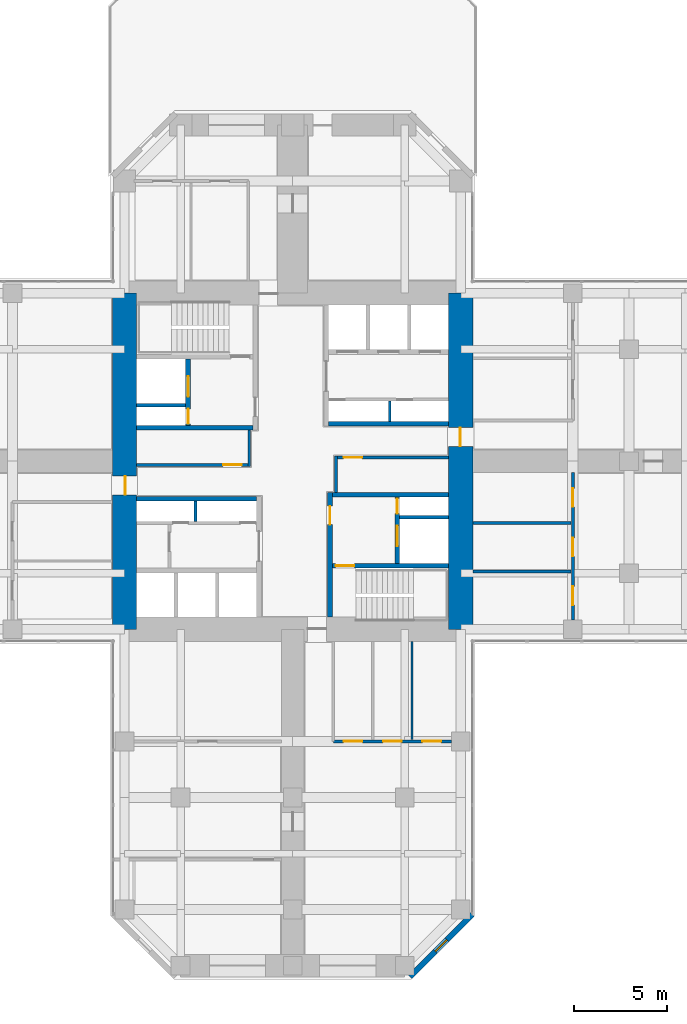
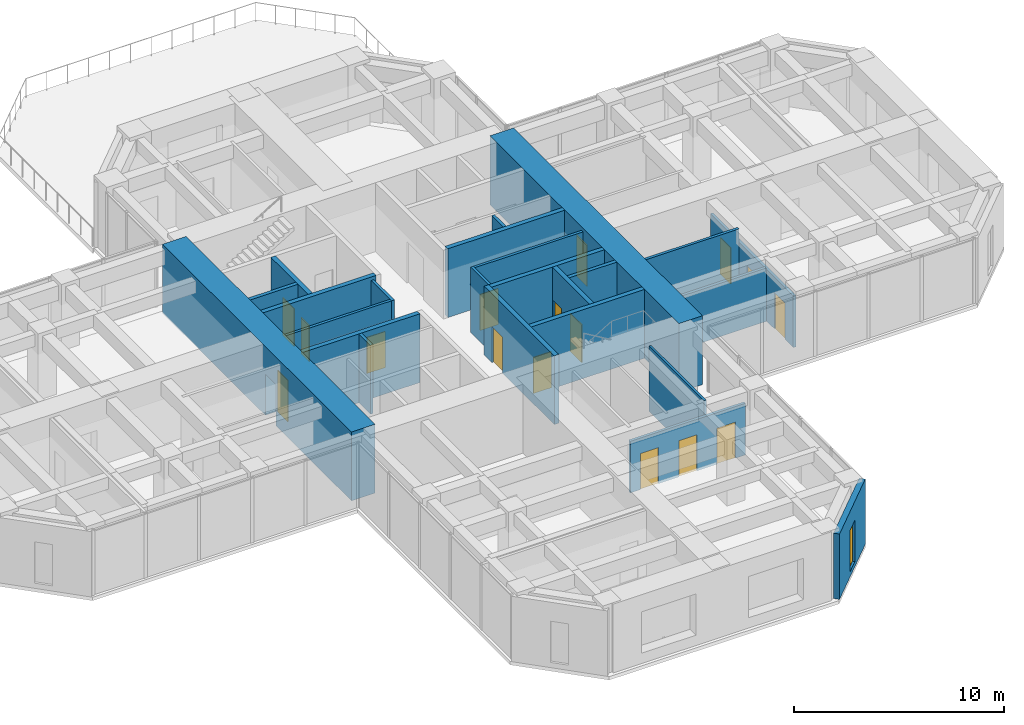
# One storey, part 9 of 12: 24 walls, 16 doors, 1 window, 17 openings.
"""IFC4 building model written with IfcOpenShell, lengths in metres."""

from ifc_helpers import new_model, si_unit, direction, frame, frame_2d, origin, place, context, subcontext, project, spatial, rectangle, hollow_rectangle, extrude, material, layer, layer_set, constituent, constituent_set, type_object, element, fill, save


model = new_model("IFC4")

# Units and contexts
model_context = context("Model", 3, precision=1e-05, world=origin(), true_north=direction((0.0, 1.0)))
body_context = subcontext(model_context, "Body", "Model", "MODEL_VIEW")
ifc_project = project(units=[si_unit("LENGTHUNIT", "METRE"), si_unit("AREAUNIT", "SQUARE_METRE"), si_unit("VOLUMEUNIT", "CUBIC_METRE"), si_unit("PLANEANGLEUNIT", "RADIAN"), si_unit("MASSUNIT", "GRAM", prefix="KILO")], contexts=[model_context])

# Site, building, storey
site_placement = place(None, origin())
site = spatial("IfcSite", under=ifc_project, at=site_placement, CompositionType="ELEMENT")
building_placement = place(site_placement, origin())
building = spatial("IfcBuilding", under=site, at=building_placement, Name="Torre Cruceta", CompositionType="ELEMENT")
storey_placement = place(building_placement, frame((0.0, 0.0, 100.5)))
storey = spatial("IfcBuildingStorey", under=building, at=storey_placement, Name="L24", CompositionType="ELEMENT", Elevation=100.5)

# Walls
ifc_material_1 = material(Name="Concrete G60 (fck 60 MPa)", Category="concrete")
ifc_layer_1 = layer(ifc_material_1, 0.25)
ifc_layer_set_1 = layer_set([ifc_layer_1], Name="Concrete G60 (fck 60 MPa)")
wall_type_1 = type_object("IfcWallType", Name="CORE INNER WALL 250 G60", PredefinedType="SHEAR", material=ifc_layer_set_1)
wall_1_placement = place(storey_placement, frame((1.925048828125, 2.0, 0.0), z_axis=(0.0, 0.0, 1.0), x_axis=(1.0, 0.0, 0.0)))
element("IfcWall", 1, at=wall_1_placement, inside=storey, type_object=wall_type_1, Name="CW4 L24 NE-CV", PredefinedType="SHEAR", context=body_context, shape_type="SweptSolid", body=[
    extrude(rectangle(XDim=6.425048828125, YDim=0.25, at=frame_2d((3.21240234375, 0.0))), origin(), (0.0, 0.0, 1.0), 4.0),
])
wall_2_placement = place(storey_placement, frame((-2.125, 1.800048828125, 0.0), z_axis=(0.0, 0.0, 1.0), x_axis=(-1.0, 0.0, 0.0)))
element("IfcWall", 2, at=wall_2_placement, inside=storey, type_object=wall_type_1, Name="CW4 L24 NW-CV", PredefinedType="SHEAR", context=body_context, shape_type="SweptSolid", body=[
    extrude(rectangle(XDim=6.22509765625, YDim=0.25, at=frame_2d((3.112548828125, 0.0))), origin(), (0.0, 0.0, 1.0), 4.0),
])

# Wall, openings, doors
wall_3_placement = place(storey_placement, frame((-5.60009765625, 1.925048828125, 0.0), z_axis=(0.0, 0.0, 1.0), x_axis=(0.0, 1.0, 0.0)))
wall_3 = element("IfcWall", 3, at=wall_3_placement, inside=storey, type_object=wall_type_1, Name="CW4 L24 NW-FU", PredefinedType="SHEAR", context=body_context, shape_type="SweptSolid", body=[
    extrude(rectangle(XDim=3.550048828125, YDim=0.25, at=frame_2d((1.77490234375, 0.0))), origin(), (0.0, 0.0, 1.0), 4.0),
])
opening_1_placement = place(wall_3_placement, frame((1.52490234375, 0.0, 0.0)))
opening_1 = element("IfcOpeningElement", 4, at=opening_1_placement, cuts=wall_3, Name="Opening LD1", PredefinedType="OPENING", context=body_context, shape_type="SweptSolid", body=[
    extrude(rectangle(XDim=1.10009765625, YDim=2.199951171875, at=frame_2d((0.550048828125, 1.10009765625))), frame((0.0, 0.135009765625, 0.0), z_axis=(0.0, -1.0, 0.0), x_axis=(1.0, 0.0, 0.0)), (0.0, 0.0, 1.0), 0.27001953125),
])
opening_2_placement = place(wall_3_placement, frame((0.074951171875, 0.0, 0.0)))
opening_2 = element("IfcOpeningElement", 5, at=opening_2_placement, cuts=wall_3, Name="Opening D5", PredefinedType="OPENING", context=body_context, shape_type="SweptSolid", body=[
    extrude(rectangle(XDim=0.800048828125, YDim=2.10009765625, at=frame_2d((0.39990234375, 1.050048828125))), frame((0.0, 0.135009765625, 0.0), z_axis=(0.0, -1.0, 0.0), x_axis=(1.0, 0.0, 0.0)), (0.0, 0.0, 1.0), 0.27001953125),
])
ifc_material_2 = material(Name="Stainless steel 1.4401", Category="steel")
door_type_1 = type_object("IfcDoorType", Name="LIFT LANDING DOOR 1100X2200", OperationType="DOUBLE_DOOR_SLIDING", PredefinedType="DOOR", material=ifc_material_2)
door_1_placement = place(opening_1_placement, origin())
door_1 = element("IfcDoor", 6, at=door_1_placement, inside=storey, type_object=door_type_1, Name="Lift landing door FL1", OperationType="DOUBLE_DOOR_SLIDING", OverallHeight=2.199951171875, OverallWidth=1.10009765625, PredefinedType="DOOR", context=body_context, shape_type="SweptSolid", body=[
    extrude(rectangle(XDim=1.10009765625, YDim=2.199951171875, at=frame_2d((0.550048828125, 1.10009765625))), frame((0.0, 0.02490234375, 0.0), z_axis=(0.0, -1.0, 0.0), x_axis=(1.0, 0.0, 0.0)), (0.0, 0.0, 1.0), 0.050048828125),
])
fill(opening_1, door_1)
ifc_material_3 = material(Name="Steel DX51D", Category="steel")
ifc_constituent_1 = constituent(ifc_material_3, Name="Leaf and frame")
ifc_material_4 = material(Name="Polyester powder coating", Category="paint")
ifc_constituent_2 = constituent(ifc_material_4, Name="Finish")
ifc_constituent_set_1 = constituent_set(constituents=[ifc_constituent_1, ifc_constituent_2], Name="Steel fire door")
door_type_2 = type_object("IfcDoorType", Name="RISER ACCESS DOOR 800X2100", OperationType="SINGLE_SWING_LEFT", PredefinedType="DOOR", material=ifc_constituent_set_1)
door_2_placement = place(opening_2_placement, origin())
door_2 = element("IfcDoor", 7, at=door_2_placement, inside=storey, type_object=door_type_2, Name="D5 L24 NW-RISER", OperationType="SINGLE_SWING_LEFT", OverallHeight=2.10009765625, OverallWidth=0.800048828125, PredefinedType="DOOR", context=body_context, shape_type="SweptSolid", body=[
    extrude(rectangle(XDim=0.800048828125, YDim=2.10009765625, at=frame_2d((0.39990234375, 1.050048828125))), frame((0.0, 0.02490234375, 0.0), z_axis=(0.0, -1.0, 0.0), x_axis=(1.0, 0.0, 0.0)), (0.0, 0.0, 1.0), 0.050048828125),
])
fill(opening_2, door_2)

# Wall
wall_4_placement = place(storey_placement, frame((-1.925048828125, -2.0, 0.0), z_axis=(0.0, 0.0, 1.0), x_axis=(-1.0, 0.0, 0.0)))
element("IfcWall", 8, at=wall_4_placement, inside=storey, type_object=wall_type_1, Name="CW4 L24 SW-CV", PredefinedType="SHEAR", context=body_context, shape_type="SweptSolid", body=[
    extrude(rectangle(XDim=6.425048828125, YDim=0.25, at=frame_2d((3.21240234375, 0.0))), origin(), (0.0, 0.0, 1.0), 4.0),
])

# Wall, opening, door
wall_5_placement = place(storey_placement, frame((2.0, -1.675048828125, 0.0), z_axis=(0.0, 0.0, 1.0), x_axis=(0.0, -1.0, 0.0)))
wall_5 = element("IfcWall", 9, at=wall_5_placement, inside=storey, type_object=wall_type_1, Name="CW4 L24 SE-CU", PredefinedType="SHEAR", context=body_context, shape_type="SweptSolid", body=[
    extrude(rectangle(XDim=6.675048828125, YDim=0.25, at=frame_2d((3.33740234375, 0.0))), origin(), (0.0, 0.0, 1.0), 4.0),
])
opening_3_placement = place(wall_5_placement, frame((0.72509765625, 0.0, 0.0)))
opening_3 = element("IfcOpeningElement", 10, at=opening_3_placement, cuts=wall_5, Name="Opening D3", PredefinedType="OPENING", context=body_context, shape_type="SweptSolid", body=[
    extrude(rectangle(XDim=1.0, YDim=2.10009765625, at=frame_2d((0.5, 1.050048828125))), frame((0.0, 0.135009765625, 0.0), z_axis=(0.0, -1.0, 0.0), x_axis=(1.0, 0.0, 0.0)), (0.0, 0.0, 1.0), 0.27001953125),
])
ifc_material_5 = material(Name="Steel DX51D", Category="steel")
ifc_constituent_3 = constituent(ifc_material_5, Name="Leaf and frame")
ifc_material_6 = material(Name="Polyester powder coating", Category="paint")
ifc_constituent_4 = constituent(ifc_material_6, Name="Finish")
ifc_constituent_set_2 = constituent_set(constituents=[ifc_constituent_3, ifc_constituent_4], Name="Steel fire door")
door_type_3 = type_object("IfcDoorType", Name="FIRE DOOR 1000X2100", OperationType="SINGLE_SWING_LEFT", PredefinedType="DOOR", material=ifc_constituent_set_2)
door_3_placement = place(opening_3_placement, origin())
door_3 = element("IfcDoor", 11, at=door_3_placement, inside=storey, type_object=door_type_3, Name="D3 L24 SE-LOBBY", OperationType="SINGLE_SWING_LEFT", OverallHeight=2.10009765625, OverallWidth=1.0, PredefinedType="DOOR", context=body_context, shape_type="SweptSolid", body=[
    extrude(rectangle(XDim=1.0, YDim=2.10009765625, at=frame_2d((0.5, 1.050048828125))), frame((0.0, 0.02490234375, 0.0), z_axis=(0.0, -1.0, 0.0), x_axis=(1.0, 0.0, 0.0)), (0.0, 0.0, 1.0), 0.050048828125),
])
fill(opening_3, door_3)

# Wall
wall_6_placement = place(storey_placement, frame((2.125, -1.800048828125, 0.0), z_axis=(0.0, 0.0, 1.0), x_axis=(1.0, 0.0, 0.0)))
element("IfcWall", 12, at=wall_6_placement, inside=storey, type_object=wall_type_1, Name="CW4 L24 SE-CV", PredefinedType="SHEAR", context=body_context, shape_type="SweptSolid", body=[
    extrude(rectangle(XDim=6.22509765625, YDim=0.25, at=frame_2d((3.112548828125, 0.0))), origin(), (0.0, 0.0, 1.0), 4.0),
])

# Wall, opening, door
wall_7_placement = place(storey_placement, frame((2.125, -5.60009765625, 0.0), z_axis=(0.0, 0.0, 1.0), x_axis=(1.0, 0.0, 0.0)))
wall_7 = element("IfcWall", 13, at=wall_7_placement, inside=storey, type_object=wall_type_1, Name="CW4 L24 SE-SV", PredefinedType="SHEAR", context=body_context, shape_type="SweptSolid", body=[
    extrude(rectangle(XDim=6.22509765625, YDim=0.25, at=frame_2d((3.112548828125, 0.0))), origin(), (0.0, 0.0, 1.0), 4.0),
])
opening_4_placement = place(wall_7_placement, frame((0.175048828125, 0.0, 0.0)))
opening_4 = element("IfcOpeningElement", 14, at=opening_4_placement, cuts=wall_7, Name="Opening D3", PredefinedType="OPENING", context=body_context, shape_type="SweptSolid", body=[
    extrude(rectangle(XDim=1.0, YDim=2.10009765625, at=frame_2d((0.5, 1.050048828125))), frame((0.0, 0.135009765625, 0.0), z_axis=(0.0, -1.0, 0.0), x_axis=(1.0, 0.0, 0.0)), (0.0, 0.0, 1.0), 0.27001953125),
])
door_4_placement = place(opening_4_placement, frame((1.0, 0.0, 0.0), z_axis=(0.0, 0.0, 1.0), x_axis=(-1.0, 0.0, 0.0)))
door_4 = element("IfcDoor", 15, at=door_4_placement, inside=storey, type_object=door_type_3, Name="D3 L24 SE-STAIR", OperationType="SINGLE_SWING_RIGHT", OverallHeight=2.10009765625, OverallWidth=1.0, PredefinedType="DOOR", context=body_context, shape_type="SweptSolid", body=[
    extrude(rectangle(XDim=1.0, YDim=2.10009765625, at=frame_2d((0.5, 1.050048828125))), frame((0.0, 0.025146484375, 0.0), z_axis=(0.0, -1.0, 0.0), x_axis=(1.0, 0.0, 0.0)), (0.0, 0.0, 1.0), 0.050048828125),
])
fill(opening_4, door_4)

# Wall, openings, doors
wall_8_placement = place(storey_placement, frame((5.60009765625, -1.925048828125, 0.0), z_axis=(0.0, 0.0, 1.0), x_axis=(0.0, -1.0, 0.0)))
wall_8 = element("IfcWall", 16, at=wall_8_placement, inside=storey, type_object=wall_type_1, Name="CW4 L24 SE-FU", PredefinedType="SHEAR", context=body_context, shape_type="SweptSolid", body=[
    extrude(rectangle(XDim=3.550048828125, YDim=0.25, at=frame_2d((1.77490234375, 0.0))), origin(), (0.0, 0.0, 1.0), 4.0),
])
opening_5_placement = place(wall_8_placement, frame((1.52490234375, 0.0, 0.0)))
opening_5 = element("IfcOpeningElement", 17, at=opening_5_placement, cuts=wall_8, Name="Opening LD1", PredefinedType="OPENING", context=body_context, shape_type="SweptSolid", body=[
    extrude(rectangle(XDim=1.10009765625, YDim=2.199951171875, at=frame_2d((0.550048828125, 1.10009765625))), frame((0.0, 0.135009765625, 0.0), z_axis=(0.0, -1.0, 0.0), x_axis=(1.0, 0.0, 0.0)), (0.0, 0.0, 1.0), 0.27001953125),
])
opening_6_placement = place(wall_8_placement, frame((0.074951171875, 0.0, 0.0)))
opening_6 = element("IfcOpeningElement", 18, at=opening_6_placement, cuts=wall_8, Name="Opening D5", PredefinedType="OPENING", context=body_context, shape_type="SweptSolid", body=[
    extrude(rectangle(XDim=0.800048828125, YDim=2.10009765625, at=frame_2d((0.39990234375, 1.050048828125))), frame((0.0, 0.135009765625, 0.0), z_axis=(0.0, -1.0, 0.0), x_axis=(1.0, 0.0, 0.0)), (0.0, 0.0, 1.0), 0.27001953125),
])
door_5_placement = place(opening_5_placement, origin())
door_5 = element("IfcDoor", 19, at=door_5_placement, inside=storey, type_object=door_type_1, Name="Lift landing door FL2", OperationType="DOUBLE_DOOR_SLIDING", OverallHeight=2.199951171875, OverallWidth=1.10009765625, PredefinedType="DOOR", context=body_context, shape_type="SweptSolid", body=[
    extrude(rectangle(XDim=1.10009765625, YDim=2.199951171875, at=frame_2d((0.550048828125, 1.10009765625))), frame((0.0, 0.02490234375, 0.0), z_axis=(0.0, -1.0, 0.0), x_axis=(1.0, 0.0, 0.0)), (0.0, 0.0, 1.0), 0.050048828125),
])
fill(opening_5, door_5)
door_6_placement = place(opening_6_placement, origin())
door_6 = element("IfcDoor", 20, at=door_6_placement, inside=storey, type_object=door_type_2, Name="D5 L24 SE-RISER", OperationType="SINGLE_SWING_LEFT", OverallHeight=2.10009765625, OverallWidth=0.800048828125, PredefinedType="DOOR", context=body_context, shape_type="SweptSolid", body=[
    extrude(rectangle(XDim=0.800048828125, YDim=2.10009765625, at=frame_2d((0.39990234375, 1.050048828125))), frame((0.0, 0.02490234375, 0.0), z_axis=(0.0, -1.0, 0.0), x_axis=(1.0, 0.0, 0.0)), (0.0, 0.0, 1.0), 0.050048828125),
])
fill(opening_6, door_6)

# Wall, opening, door
ifc_material_7 = material(Name="Concrete G60 (fck 60 MPa)", Category="concrete")
ifc_layer_2 = layer(ifc_material_7, 1.300048828125)
ifc_layer_set_2 = layer_set([ifc_layer_2], Name="Concrete G60 (fck 60 MPa)")
wall_type_2 = type_object("IfcWallType", Name="CORE WALL 1300 G60", PredefinedType="SHEAR", material=ifc_layer_set_2)
wall_9_placement = place(storey_placement, frame((9.0, -9.0, 0.0), z_axis=(0.0, 0.0, 1.0), x_axis=(0.0, 1.0, 0.0)))
wall_9 = element("IfcWall", 21, at=wall_9_placement, inside=storey, type_object=wall_type_2, Name="CW1 L24 CW-E", PredefinedType="SHEAR", context=body_context, shape_type="SweptSolid", body=[
    extrude(rectangle(XDim=18.0, YDim=1.300048828125, at=frame_2d((9.0, 0.0))), origin(), (0.0, 0.0, 1.0), 4.0),
])
opening_7_placement = place(wall_9_placement, frame((9.800048828125, 0.0, 0.0)))
opening_7 = element("IfcOpeningElement", 22, at=opening_7_placement, cuts=wall_9, Name="Opening D4", PredefinedType="OPENING", context=body_context, shape_type="SweptSolid", body=[
    extrude(rectangle(XDim=1.0, YDim=2.39990234375, at=frame_2d((0.5, 1.199951171875))), frame((0.0, 0.659912109375, 0.0), z_axis=(0.0, -1.0, 0.0), x_axis=(1.0, 0.0, 0.0)), (0.0, 0.0, 1.0), 1.320068359375),
])
ifc_material_8 = material(Name="Steel DX51D", Category="steel")
ifc_constituent_5 = constituent(ifc_material_8, Name="Leaf and frame")
ifc_material_9 = material(Name="Polyester powder coating", Category="paint")
ifc_constituent_6 = constituent(ifc_material_9, Name="Finish")
ifc_constituent_set_3 = constituent_set(constituents=[ifc_constituent_5, ifc_constituent_6], Name="Steel fire door")
door_type_4 = type_object("IfcDoorType", Name="CORE ARM DOOR 1000X2400", OperationType="SINGLE_SWING_RIGHT", PredefinedType="DOOR", material=ifc_constituent_set_3)
door_7_placement = place(opening_7_placement, frame((1.0, 0.0, 0.0), z_axis=(0.0, 0.0, 1.0), x_axis=(-1.0, 0.0, 0.0)))
door_7 = element("IfcDoor", 23, at=door_7_placement, inside=storey, type_object=door_type_4, Name="D4 L24 CW-E", OperationType="SINGLE_SWING_RIGHT", OverallHeight=2.39990234375, OverallWidth=1.0, PredefinedType="DOOR", context=body_context, shape_type="SweptSolid", body=[
    extrude(rectangle(XDim=1.0, YDim=2.39990234375, at=frame_2d((0.5, 1.199951171875))), frame((0.0, -0.005126953125, 0.0), z_axis=(0.0, -1.0, 0.0), x_axis=(1.0, 0.0, 0.0)), (0.0, 0.0, 1.0), 0.050048828125),
])
fill(opening_7, door_7)

wall_10_placement = place(storey_placement, frame((-9.0, 9.0, 0.0), z_axis=(0.0, 0.0, 1.0), x_axis=(0.0, -1.0, 0.0)))
wall_10 = element("IfcWall", 24, at=wall_10_placement, inside=storey, type_object=wall_type_2, Name="CW1 L24 CW-W", PredefinedType="SHEAR", context=body_context, shape_type="SweptSolid", body=[
    extrude(rectangle(XDim=18.0, YDim=1.300048828125, at=frame_2d((9.0, 0.0))), origin(), (0.0, 0.0, 1.0), 4.0),
])
opening_8_placement = place(wall_10_placement, frame((9.800048828125, 0.0, 0.0)))
opening_8 = element("IfcOpeningElement", 25, at=opening_8_placement, cuts=wall_10, Name="Opening D4", PredefinedType="OPENING", context=body_context, shape_type="SweptSolid", body=[
    extrude(rectangle(XDim=1.0, YDim=2.39990234375, at=frame_2d((0.5, 1.199951171875))), frame((0.0, 0.659912109375, 0.0), z_axis=(0.0, -1.0, 0.0), x_axis=(1.0, 0.0, 0.0)), (0.0, 0.0, 1.0), 1.320068359375),
])
door_8_placement = place(opening_8_placement, frame((1.0, 0.0, 0.0), z_axis=(0.0, 0.0, 1.0), x_axis=(-1.0, 0.0, 0.0)))
door_8 = element("IfcDoor", 26, at=door_8_placement, inside=storey, type_object=door_type_4, Name="D4 L24 CW-W", OperationType="SINGLE_SWING_RIGHT", OverallHeight=2.39990234375, OverallWidth=1.0, PredefinedType="DOOR", context=body_context, shape_type="SweptSolid", body=[
    extrude(rectangle(XDim=1.0, YDim=2.39990234375, at=frame_2d((0.5, 1.199951171875))), frame((0.0, -0.005126953125, 0.0), z_axis=(0.0, -1.0, 0.0), x_axis=(1.0, 0.0, 0.0)), (0.0, 0.0, 1.0), 0.050048828125),
])
fill(opening_8, door_8)

# Wall, opening, window
ifc_material_10 = material(Name="Concrete G30 (fck 30 MPa)", Category="concrete")
ifc_layer_3 = layer(ifc_material_10, 0.300048828125)
ifc_layer_set_3 = layer_set([ifc_layer_3], Name="Concrete G30 (fck 30 MPa)")
wall_type_3 = type_object("IfcWallType", Name="EXPOSED CONCRETE FACADE WALL 300", PredefinedType="SOLIDWALL", material=ifc_layer_set_3)
wall_11_placement = place(storey_placement, frame((6.27685546875, -27.60009765625, 0.0), z_axis=(0.0, 0.0, 1.0), x_axis=(0.707106781187, 0.707106781187, 0.0)))
wall_11 = element("IfcWall", 27, at=wall_11_placement, inside=storey, type_object=wall_type_3, Name="EW1 facade wall L24 S chamfer 18", PredefinedType="SOLIDWALL", context=body_context, shape_type="SweptSolid", body=[
    extrude(rectangle(XDim=4.72802734375, YDim=0.300048828125, at=frame_2d((2.364013671875, 0.0))), origin(), (0.0, 0.0, 1.0), 3.800048828125),
])
opening_9_placement = place(wall_11_placement, frame((1.9140625, 0.0, 0.300048828125)))
opening_9 = element("IfcOpeningElement", 28, at=opening_9_placement, cuts=wall_11, Name="Opening WN5", PredefinedType="OPENING", context=body_context, shape_type="SweptSolid", body=[
    extrude(rectangle(XDim=0.89990234375, YDim=2.39990234375, at=frame_2d((0.449951171875, 1.199951171875))), frame((0.0, 0.159912109375, 0.0), z_axis=(0.0, -1.0, 0.0), x_axis=(1.0, 0.0, 0.0)), (0.0, 0.0, 1.0), 0.320068359375),
])
ifc_material_11 = material(Name="Aluminium window frame", Category="aluminium")
ifc_constituent_7 = constituent(ifc_material_11, Name="Frame")
ifc_material_12 = material(Name="Laminated insulating glass unit, low-iron clear", Category="glass")
ifc_constituent_8 = constituent(ifc_material_12, Name="Glazing")
ifc_constituent_set_4 = constituent_set(constituents=[ifc_constituent_7, ifc_constituent_8], Name="Aluminium window")
window_type = type_object("IfcWindowType", Name="CHAMFER SLOT WINDOW 900X2400", PartitioningType="SINGLE_PANEL", PredefinedType="WINDOW", material=ifc_constituent_set_4)
window_placement = place(opening_9_placement, origin())
window = element("IfcWindow", 29, at=window_placement, inside=storey, type_object=window_type, Name="WN5 L24 S 1", OverallHeight=2.39990234375, OverallWidth=0.89990234375, PartitioningType="SINGLE_PANEL", PredefinedType="WINDOW", context=body_context, shape_type="SweptSolid", body=[
    extrude(hollow_rectangle(XDim=0.89990234375, YDim=2.39990234375, WallThickness=0.06005859375, at=frame_2d((0.449951171875, 1.199951171875))), frame((0.0, 0.030029296875, 0.0), z_axis=(0.0, -1.0, 0.0), x_axis=(1.0, 0.0, 0.0)), (0.0, 0.0, 1.0), 0.06005859375),
    extrude(rectangle(XDim=0.77880859375, YDim=2.27880859375, at=frame_2d((0.449951171875, 1.199951171875))), frame((0.0, 0.030029296875, 0.0), z_axis=(0.0, -1.0, 0.0), x_axis=(1.0, 0.0, 0.0)), (0.0, 0.0, 1.0), 0.06005859375),
])
fill(opening_9, window)

# Walls
ifc_material_13 = material(Name="Concrete G35 (fck 35 MPa)", Category="concrete")
ifc_layer_4 = layer(ifc_material_13, 0.199951171875)
ifc_layer_set_4 = layer_set([ifc_layer_4], Name="Concrete G35 (fck 35 MPa)")
wall_type_4 = type_object("IfcWallType", Name="LIFT SHAFT WALL 200", PredefinedType="PARTITIONING", material=ifc_layer_set_4)
for number, where, z_axis, x_axis, name in (
    (30, (-5.72509765625, 3.0, 0.0), (0.0, 0.0, 1.0), (-1.0, 0.0, 0.0), "SW1 L24 NW-FR"),
    (31, (5.72509765625, -3.0, 0.0), (0.0, 0.0, 1.0), (1.0, 0.0, 0.0), "SW1 L24 SE-FR"),
):
    element("IfcWall", number, at=place(storey_placement, frame(where, z_axis=z_axis, x_axis=x_axis)), inside=storey, type_object=wall_type_4, Name=name, PredefinedType="PARTITIONING", context=body_context, shape_type="SweptSolid", body=[
        extrude(rectangle(XDim=2.625, YDim=0.199951171875, at=frame_2d((1.3125, 0.0))), origin(), (0.0, 0.0, 1.0), 4.0),
    ])

# Wall, opening, door
ifc_material_14 = material(Name="Plasterboard on steel studs", Category="steel")
ifc_layer_5 = layer(ifc_material_14, 0.14990234375)
ifc_layer_set_5 = layer_set([ifc_layer_5], Name="Plasterboard on steel studs")
wall_type_5 = type_object("IfcWallType", Name="PARTITION 150", PredefinedType="PARTITIONING", material=ifc_layer_set_5)
wall_12_placement = place(storey_placement, frame((2.324951171875, 0.199951171875, 0.0), z_axis=(0.0, 0.0, 1.0), x_axis=(1.0, 0.0, 0.0)))
wall_12 = element("IfcWall", 32, at=wall_12_placement, inside=storey, type_object=wall_type_5, Name="PT1 L24-CORE-LEGE-S-W1", PredefinedType="PARTITIONING", context=body_context, shape_type="SweptSolid", body=[
    extrude(rectangle(XDim=6.025146484375, YDim=0.14990234375, at=frame_2d((3.0126953125, 0.0))), origin(), (0.0, 0.0, 1.0), 3.800048828125),
])
opening_10_placement = place(wall_12_placement, frame((0.39990234375, 0.0, 0.0)))
opening_10 = element("IfcOpeningElement", 33, at=opening_10_placement, cuts=wall_12, Name="Opening D3", PredefinedType="OPENING", context=body_context, shape_type="SweptSolid", body=[
    extrude(rectangle(XDim=1.0, YDim=2.10009765625, at=frame_2d((0.5, 1.050048828125))), frame((0.0, 0.0849609375, 0.0), z_axis=(0.0, -1.0, 0.0), x_axis=(1.0, 0.0, 0.0)), (0.0, 0.0, 1.0), 0.169921875),
])
door_9_placement = place(opening_10_placement, frame((1.0, 0.0, 0.0), z_axis=(0.0, 0.0, 1.0), x_axis=(-1.0, 0.0, 0.0)))
door_9 = element("IfcDoor", 34, at=door_9_placement, inside=storey, type_object=door_type_3, Name="D3 L24-CORE-LEGE-S-W1-D1", OperationType="SINGLE_SWING_RIGHT", OverallHeight=2.10009765625, OverallWidth=1.0, PredefinedType="DOOR", context=body_context, shape_type="SweptSolid", body=[
    extrude(rectangle(XDim=1.0, YDim=2.10009765625, at=frame_2d((0.5, 1.050048828125))), frame((0.0, 0.025146484375, 0.0), z_axis=(0.0, -1.0, 0.0), x_axis=(1.0, 0.0, 0.0)), (0.0, 0.0, 1.0), 0.050048828125),
])
fill(opening_10, door_9)

# Wall
wall_13_placement = place(storey_placement, frame((2.324951171875, -1.675048828125, 0.0), z_axis=(0.0, 0.0, 1.0), x_axis=(0.0, 1.0, 0.0)))
element("IfcWall", 35, at=wall_13_placement, inside=storey, type_object=wall_type_5, Name="PT1 L24-CORE-LEGE-S-W2", PredefinedType="PARTITIONING", context=body_context, shape_type="SweptSolid", body=[
    extrude(rectangle(XDim=1.949951171875, YDim=0.14990234375, at=frame_2d((0.97509765625, 0.0))), origin(), (0.0, 0.0, 1.0), 3.800048828125),
])

# Wall, opening, door
wall_14_placement = place(storey_placement, frame((-2.324951171875, -0.199951171875, 0.0), z_axis=(0.0, 0.0, 1.0), x_axis=(-1.0, 0.0, 0.0)))
wall_14 = element("IfcWall", 36, at=wall_14_placement, inside=storey, type_object=wall_type_5, Name="PT1 L24-CORE-LEGW-N-W1", PredefinedType="PARTITIONING", context=body_context, shape_type="SweptSolid", body=[
    extrude(rectangle(XDim=6.025146484375, YDim=0.14990234375, at=frame_2d((3.0126953125, 0.0))), origin(), (0.0, 0.0, 1.0), 3.800048828125),
])
opening_11_placement = place(wall_14_placement, frame((0.39990234375, 0.0, 0.0)))
opening_11 = element("IfcOpeningElement", 37, at=opening_11_placement, cuts=wall_14, Name="Opening D3", PredefinedType="OPENING", context=body_context, shape_type="SweptSolid", body=[
    extrude(rectangle(XDim=1.0, YDim=2.10009765625, at=frame_2d((0.5, 1.050048828125))), frame((0.0, 0.0849609375, 0.0), z_axis=(0.0, -1.0, 0.0), x_axis=(1.0, 0.0, 0.0)), (0.0, 0.0, 1.0), 0.169921875),
])
door_10_placement = place(opening_11_placement, frame((1.0, 0.0, 0.0), z_axis=(0.0, 0.0, 1.0), x_axis=(-1.0, 0.0, 0.0)))
door_10 = element("IfcDoor", 38, at=door_10_placement, inside=storey, type_object=door_type_3, Name="D3 L24-CORE-LEGW-N-W1-D1", OperationType="SINGLE_SWING_RIGHT", OverallHeight=2.10009765625, OverallWidth=1.0, PredefinedType="DOOR", context=body_context, shape_type="SweptSolid", body=[
    extrude(rectangle(XDim=1.0, YDim=2.10009765625, at=frame_2d((0.5, 1.050048828125))), frame((0.0, 0.025146484375, 0.0), z_axis=(0.0, -1.0, 0.0), x_axis=(1.0, 0.0, 0.0)), (0.0, 0.0, 1.0), 0.050048828125),
])
fill(opening_11, door_10)

# Wall
wall_15_placement = place(storey_placement, frame((-2.324951171875, 1.675048828125, 0.0), z_axis=(0.0, 0.0, 1.0), x_axis=(0.0, -1.0, 0.0)))
element("IfcWall", 39, at=wall_15_placement, inside=storey, type_object=wall_type_5, Name="PT1 L24-CORE-LEGW-N-W2", PredefinedType="PARTITIONING", context=body_context, shape_type="SweptSolid", body=[
    extrude(rectangle(XDim=1.949951171875, YDim=0.14990234375, at=frame_2d((0.97509765625, 0.0))), origin(), (0.0, 0.0, 1.0), 3.800048828125),
])

# Wall, openings, doors
wall_16_placement = place(storey_placement, frame((15.0, -8.5, 0.0), z_axis=(0.0, 0.0, 1.0), x_axis=(0.0, 1.0, 0.0)))
wall_16 = element("IfcWall", 40, at=wall_16_placement, inside=storey, type_object=wall_type_5, Name="PT1 L24-E-BFR", PredefinedType="PARTITIONING", context=body_context, shape_type="SweptSolid", body=[
    extrude(rectangle(XDim=7.89990234375, YDim=0.14990234375, at=frame_2d((3.949951171875, 0.0))), origin(), (0.0, 0.0, 1.0), 3.0),
])
opening_12_placement = place(wall_16_placement, frame((0.800048828125, 0.0, 0.0)))
opening_12 = element("IfcOpeningElement", 41, at=opening_12_placement, cuts=wall_16, Name="Opening D3", PredefinedType="OPENING", context=body_context, shape_type="SweptSolid", body=[
    extrude(rectangle(XDim=1.0, YDim=2.10009765625, at=frame_2d((0.5, 1.050048828125))), frame((0.0, 0.0849609375, 0.0), z_axis=(0.0, -1.0, 0.0), x_axis=(1.0, 0.0, 0.0)), (0.0, 0.0, 1.0), 0.169921875),
])
opening_13_placement = place(wall_16_placement, frame((3.39990234375, 0.0, 0.0)))
opening_13 = element("IfcOpeningElement", 42, at=opening_13_placement, cuts=wall_16, Name="Opening D3", PredefinedType="OPENING", context=body_context, shape_type="SweptSolid", body=[
    extrude(rectangle(XDim=1.0, YDim=2.10009765625, at=frame_2d((0.5, 1.050048828125))), frame((0.0, 0.0849609375, 0.0), z_axis=(0.0, -1.0, 0.0), x_axis=(1.0, 0.0, 0.0)), (0.0, 0.0, 1.0), 0.169921875),
])
opening_14_placement = place(wall_16_placement, frame((6.050048828125, 0.0, 0.0)))
opening_14 = element("IfcOpeningElement", 43, at=opening_14_placement, cuts=wall_16, Name="Opening D3", PredefinedType="OPENING", context=body_context, shape_type="SweptSolid", body=[
    extrude(rectangle(XDim=1.0, YDim=2.10009765625, at=frame_2d((0.5, 1.050048828125))), frame((0.0, 0.0849609375, 0.0), z_axis=(0.0, -1.0, 0.0), x_axis=(1.0, 0.0, 0.0)), (0.0, 0.0, 1.0), 0.169921875),
])
door_11_placement = place(opening_12_placement, origin())
door_11 = element("IfcDoor", 44, at=door_11_placement, inside=storey, type_object=door_type_3, Name="D3 L24-E-BFR-D1", OperationType="SINGLE_SWING_RIGHT", OverallHeight=2.10009765625, OverallWidth=1.0, PredefinedType="DOOR", context=body_context, shape_type="SweptSolid", body=[
    extrude(rectangle(XDim=1.0, YDim=2.10009765625, at=frame_2d((0.5, 1.050048828125))), frame((0.0, 0.02490234375, 0.0), z_axis=(0.0, -1.0, 0.0), x_axis=(1.0, 0.0, 0.0)), (0.0, 0.0, 1.0), 0.050048828125),
])
fill(opening_12, door_11)
door_12_placement = place(opening_13_placement, origin())
door_12 = element("IfcDoor", 45, at=door_12_placement, inside=storey, type_object=door_type_3, Name="D3 L24-E-BFR-D2", OperationType="SINGLE_SWING_LEFT", OverallHeight=2.10009765625, OverallWidth=1.0, PredefinedType="DOOR", context=body_context, shape_type="SweptSolid", body=[
    extrude(rectangle(XDim=1.0, YDim=2.10009765625, at=frame_2d((0.5, 1.050048828125))), frame((0.0, 0.02490234375, 0.0), z_axis=(0.0, -1.0, 0.0), x_axis=(1.0, 0.0, 0.0)), (0.0, 0.0, 1.0), 0.050048828125),
])
fill(opening_13, door_12)
door_13_placement = place(opening_14_placement, origin())
door_13 = element("IfcDoor", 46, at=door_13_placement, inside=storey, type_object=door_type_3, Name="D3 L24-E-BFR-D3", OperationType="SINGLE_SWING_LEFT", OverallHeight=2.10009765625, OverallWidth=1.0, PredefinedType="DOOR", context=body_context, shape_type="SweptSolid", body=[
    extrude(rectangle(XDim=1.0, YDim=2.10009765625, at=frame_2d((0.5, 1.050048828125))), frame((0.0, 0.02490234375, 0.0), z_axis=(0.0, -1.0, 0.0), x_axis=(1.0, 0.0, 0.0)), (0.0, 0.0, 1.0), 0.050048828125),
])
fill(opening_14, door_13)

# Walls
wall_17_placement = place(storey_placement, frame((9.64990234375, -3.300048828125, 0.0), z_axis=(0.0, 0.0, 1.0), x_axis=(1.0, 0.0, 0.0)))
element("IfcWall", 47, at=wall_17_placement, inside=storey, type_object=wall_type_5, Name="PT1 L24-E-BDR1", PredefinedType="PARTITIONING", context=body_context, shape_type="SweptSolid", body=[
    extrude(rectangle(XDim=5.25, YDim=0.14990234375, at=frame_2d((2.625, 0.0))), origin(), (0.0, 0.0, 1.0), 3.800048828125),
])
wall_18_placement = place(storey_placement, frame((9.64990234375, -5.89990234375, 0.0), z_axis=(0.0, 0.0, 1.0), x_axis=(1.0, 0.0, 0.0)))
element("IfcWall", 48, at=wall_18_placement, inside=storey, type_object=wall_type_5, Name="PT1 L24-E-BDR2", PredefinedType="PARTITIONING", context=body_context, shape_type="SweptSolid", body=[
    extrude(rectangle(XDim=5.25, YDim=0.14990234375, at=frame_2d((2.625, 0.0))), origin(), (0.0, 0.0, 1.0), 3.10009765625),
])

# Wall, openings, doors
wall_19_placement = place(storey_placement, frame((2.175048828125, -15.0, 0.0), z_axis=(0.0, 0.0, 1.0), x_axis=(1.0, 0.0, 0.0)))
wall_19 = element("IfcWall", 49, at=wall_19_placement, inside=storey, type_object=wall_type_5, Name="PT1 L24-S-BFL", PredefinedType="PARTITIONING", context=body_context, shape_type="SweptSolid", body=[
    extrude(rectangle(XDim=6.324951171875, YDim=0.14990234375, at=frame_2d((3.16259765625, 0.0))), origin(), (0.0, 0.0, 1.0), 3.0),
])
opening_15_placement = place(wall_19_placement, frame((0.55419921875, 0.0, 0.0)))
opening_15 = element("IfcOpeningElement", 50, at=opening_15_placement, cuts=wall_19, Name="Opening D3", PredefinedType="OPENING", context=body_context, shape_type="SweptSolid", body=[
    extrude(rectangle(XDim=1.0, YDim=2.10009765625, at=frame_2d((0.5, 1.050048828125))), frame((0.0, 0.0849609375, 0.0), z_axis=(0.0, -1.0, 0.0), x_axis=(1.0, 0.0, 0.0)), (0.0, 0.0, 1.0), 0.169921875),
])
opening_16_placement = place(wall_19_placement, frame((2.66259765625, 0.0, 0.0)))
opening_16 = element("IfcOpeningElement", 51, at=opening_16_placement, cuts=wall_19, Name="Opening D3", PredefinedType="OPENING", context=body_context, shape_type="SweptSolid", body=[
    extrude(rectangle(XDim=1.0, YDim=2.10009765625, at=frame_2d((0.5, 1.050048828125))), frame((0.0, 0.0849609375, 0.0), z_axis=(0.0, -1.0, 0.0), x_axis=(1.0, 0.0, 0.0)), (0.0, 0.0, 1.0), 0.169921875),
])
opening_17_placement = place(wall_19_placement, frame((4.770751953125, 0.0, 0.0)))
opening_17 = element("IfcOpeningElement", 52, at=opening_17_placement, cuts=wall_19, Name="Opening D3", PredefinedType="OPENING", context=body_context, shape_type="SweptSolid", body=[
    extrude(rectangle(XDim=1.0, YDim=2.10009765625, at=frame_2d((0.5, 1.050048828125))), frame((0.0, 0.0849609375, 0.0), z_axis=(0.0, -1.0, 0.0), x_axis=(1.0, 0.0, 0.0)), (0.0, 0.0, 1.0), 0.169921875),
])
door_14_placement = place(opening_15_placement, origin())
door_14 = element("IfcDoor", 53, at=door_14_placement, inside=storey, type_object=door_type_3, Name="D3 L24-S-BFL-D1", OperationType="SINGLE_SWING_LEFT", OverallHeight=2.10009765625, OverallWidth=1.0, PredefinedType="DOOR", context=body_context, shape_type="SweptSolid", body=[
    extrude(rectangle(XDim=1.0, YDim=2.10009765625, at=frame_2d((0.5, 1.050048828125))), frame((0.0, 0.02490234375, 0.0), z_axis=(0.0, -1.0, 0.0), x_axis=(1.0, 0.0, 0.0)), (0.0, 0.0, 1.0), 0.050048828125),
])
fill(opening_15, door_14)
door_15_placement = place(opening_16_placement, origin())
door_15 = element("IfcDoor", 54, at=door_15_placement, inside=storey, type_object=door_type_3, Name="D3 L24-S-BFL-D2", OperationType="SINGLE_SWING_LEFT", OverallHeight=2.10009765625, OverallWidth=1.0, PredefinedType="DOOR", context=body_context, shape_type="SweptSolid", body=[
    extrude(rectangle(XDim=1.0, YDim=2.10009765625, at=frame_2d((0.5, 1.050048828125))), frame((0.0, 0.02490234375, 0.0), z_axis=(0.0, -1.0, 0.0), x_axis=(1.0, 0.0, 0.0)), (0.0, 0.0, 1.0), 0.050048828125),
])
fill(opening_16, door_15)
door_16_placement = place(opening_17_placement, origin())
door_16 = element("IfcDoor", 55, at=door_16_placement, inside=storey, type_object=door_type_3, Name="D3 L24-S-BFL-D3", OperationType="SINGLE_SWING_LEFT", OverallHeight=2.10009765625, OverallWidth=1.0, PredefinedType="DOOR", context=body_context, shape_type="SweptSolid", body=[
    extrude(rectangle(XDim=1.0, YDim=2.10009765625, at=frame_2d((0.5, 1.050048828125))), frame((0.0, 0.02490234375, 0.0), z_axis=(0.0, -1.0, 0.0), x_axis=(1.0, 0.0, 0.0)), (0.0, 0.0, 1.0), 0.050048828125),
])
fill(opening_17, door_16)

# Walls
ifc_material_15 = material(Name="Concrete block masonry", Category="masonry")
ifc_layer_6 = layer(ifc_material_15, 0.14990234375)
ifc_layer_set_6 = layer_set([ifc_layer_6], Name="Concrete block masonry")
wall_type_6 = type_object("IfcWallType", Name="RISER WALL 150", PredefinedType="PARTITIONING", material=ifc_layer_set_6)
for number, where, z_axis, x_axis, name in (
    (56, (5.199951171875, 2.125, 0.0), (0.0, 0.0, 1.0), (0.0, 1.0, 0.0), "SW7 L24 NE-RU"),
    (57, (-5.199951171875, -2.125, 0.0), (0.0, 0.0, 1.0), (0.0, -1.0, 0.0), "SW7 L24 SW-RU"),
):
    element("IfcWall", number, at=place(storey_placement, frame(where, z_axis=z_axis, x_axis=x_axis)), inside=storey, type_object=wall_type_6, Name=name, PredefinedType="PARTITIONING", context=body_context, shape_type="SweptSolid", body=[
        extrude(rectangle(XDim=1.10009765625, YDim=0.14990234375, at=frame_2d((0.550048828125, 0.0))), origin(), (0.0, 0.0, 1.0), 4.0),
    ])
ifc_material_16 = material(Name="Plasterboard on steel studs", Category="steel")
ifc_layer_7 = layer(ifc_material_16, 0.1201171875)
ifc_layer_set_7 = layer_set([ifc_layer_7], Name="Plasterboard on steel studs")
wall_type_7 = type_object("IfcWallType", Name="WC PARTITION 120", PredefinedType="PLUMBINGWALL", material=ifc_layer_set_7)
wall_20_placement = place(storey_placement, frame((6.3916015625, -9.64990234375, 0.0), z_axis=(0.0, 0.0, 1.0), x_axis=(0.0, -1.0, 0.0)))
element("IfcWall", 58, at=wall_20_placement, inside=storey, type_object=wall_type_7, Name="PT5 L24-S-BDL2", PredefinedType="PLUMBINGWALL", context=body_context, shape_type="SweptSolid", body=[
    extrude(rectangle(XDim=5.25, YDim=0.1201171875, at=frame_2d((2.625, 0.0))), origin(), (0.0, 0.0, 1.0), 3.800048828125),
])

save(model, "model.ifc")
